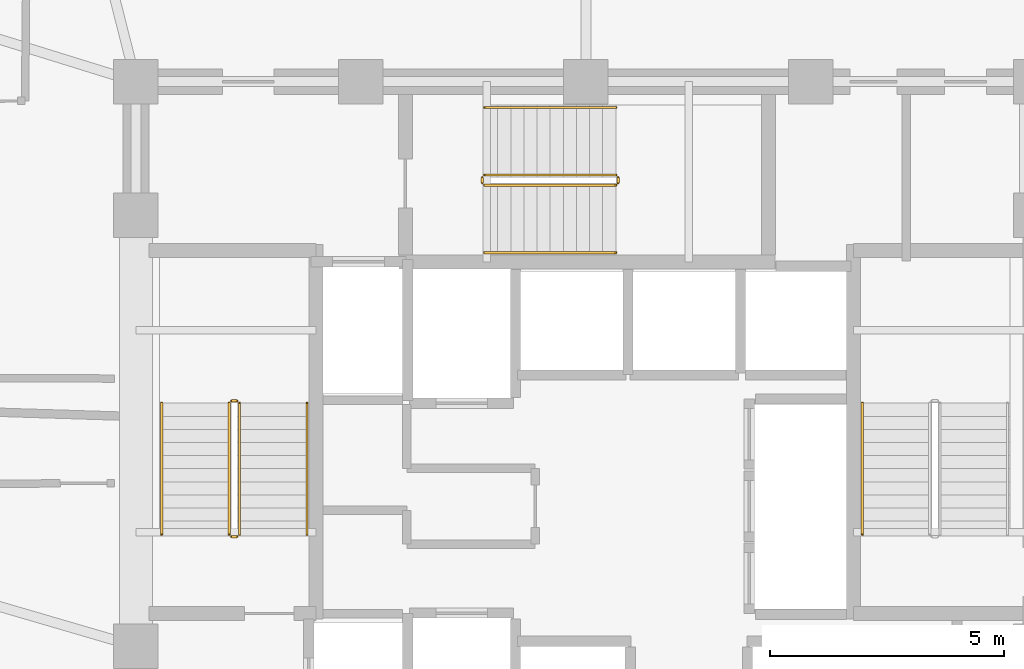
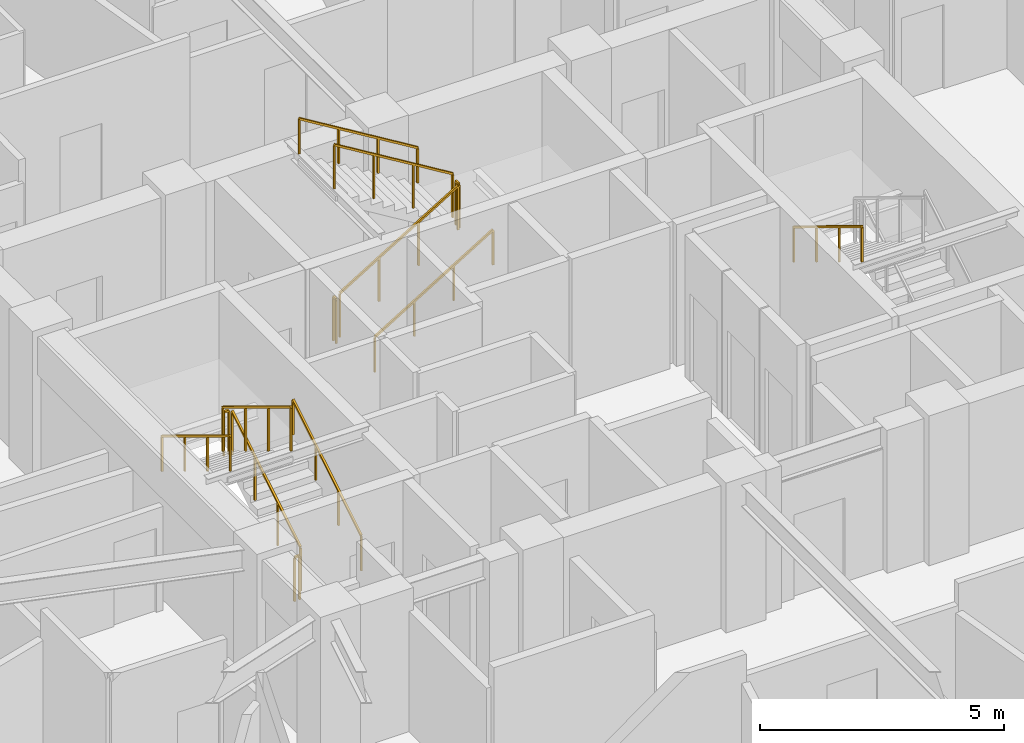
# One storey, part 29 of 31: 13 railings.
"""IFC4 building model written with IfcOpenShell, lengths in metres."""

from ifc_helpers import new_model, si_unit, direction, frame, origin, origin_2d, place, context, subcontext, project, spatial, rectangle, extrude, material, type_object, element, save


model = new_model("IFC4")

# Units and contexts
model_context = context("Model", 3, precision=1e-05, world=origin(), true_north=direction((0.0, 1.0)))
body_context = subcontext(model_context, "Body", "Model", "MODEL_VIEW")
ifc_project = project(units=[si_unit("LENGTHUNIT", "METRE"), si_unit("AREAUNIT", "SQUARE_METRE"), si_unit("VOLUMEUNIT", "CUBIC_METRE"), si_unit("PLANEANGLEUNIT", "RADIAN"), si_unit("MASSUNIT", "GRAM", prefix="KILO")], contexts=[model_context])

# Site, building, storey
site_placement = place(None, origin())
site = spatial("IfcSite", under=ifc_project, at=site_placement, CompositionType="ELEMENT")
building_placement = place(site_placement, origin())
building = spatial("IfcBuilding", under=site, at=building_placement, Name="Vantalir Tower", CompositionType="ELEMENT")
storey_placement = place(building_placement, frame((0.0, 0.0, 115.949951171875)))
storey = spatial("IfcBuildingStorey", under=building, at=storey_placement, Name="L28", CompositionType="ELEMENT", Elevation=115.949951171875)

# Railings
ifc_material_1 = material(Name="Anodised aluminium and stainless steel guard", Category="steel")
railing_type_1 = type_object("IfcRailingType", Name="RAL-GUARD-1120", PredefinedType="GUARDRAIL", material=ifc_material_1)
railing_1_placement = place(storey_placement, frame((24.110107421875, 22.7900390625, 0.17041015625)))
element("IfcRailing", 1, at=railing_1_placement, inside=storey, type_object=railing_type_1, Name="L28 ST1 stair guard 1", PredefinedType="GUARDRAIL", context=body_context, shape_type="SweptSolid", body=[
    extrude(rectangle(XDim=0.048095703125, YDim=0.048095703125, at=origin_2d()), frame((0.0, 0.0, 1.09619140625), z_axis=(0.0, 0.854169791009, 0.51999420009), x_axis=(-1.0, 0.0, 0.0)), (0.0, 0.0, 1.0), 3.278076171875),
    extrude(rectangle(XDim=0.0419921875, YDim=0.0419921875, at=origin_2d()), origin(), (0.0, 0.0, 1.0), 1.072021484375),
    extrude(rectangle(XDim=0.0419921875, YDim=0.0419921875, at=origin_2d()), frame((0.0, 0.933349609375, 0.568115234375)), (0.0, 0.0, 1.0), 1.072021484375),
    extrude(rectangle(XDim=0.0419921875, YDim=0.0419921875, at=origin_2d()), frame((0.0, 1.86669921875, 1.136474609375)), (0.0, 0.0, 1.0), 1.072021484375),
    extrude(rectangle(XDim=0.0419921875, YDim=0.0419921875, at=origin_2d()), frame((0.0, 2.800048828125, 1.70458984375)), (0.0, 0.0, 1.0), 1.072021484375),
])
railing_2_placement = place(storey_placement, frame((24.06005859375, 25.639892578125, 1.875)))
element("IfcRailing", 2, at=railing_2_placement, inside=storey, type_object=railing_type_1, Name="L28 ST1 stair guard 2", PredefinedType="GUARDRAIL", context=body_context, shape_type="SweptSolid", body=[
    extrude(rectangle(XDim=0.048095703125, YDim=0.048095703125, at=origin_2d()), frame((0.0, 0.0, 1.09619140625), z_axis=(-1.0, 0.0, 0.0), x_axis=(0.0, -1.0, 0.0)), (0.0, 0.0, 1.0), 0.1201171875),
    extrude(rectangle(XDim=0.0419921875, YDim=0.0419921875, at=origin_2d()), origin(), (0.0, 0.0, 1.0), 1.072021484375),
    extrude(rectangle(XDim=0.0419921875, YDim=0.0419921875, at=origin_2d()), frame((-0.1201171875, 0.0, 0.0)), (0.0, 0.0, 1.0), 1.072021484375),
])
railing_3_placement = place(storey_placement, frame((23.889892578125, 25.590087890625, 2.04541015625)))
element("IfcRailing", 3, at=railing_3_placement, inside=storey, type_object=railing_type_1, Name="L28 ST1 stair guard 3", PredefinedType="GUARDRAIL", context=body_context, shape_type="SweptSolid", body=[
    extrude(rectangle(XDim=0.048095703125, YDim=0.048095703125, at=origin_2d()), frame((0.0, 0.0, 1.09619140625), z_axis=(0.0, -0.854169791009, 0.51999420009), x_axis=(1.0, 0.0, 0.0)), (0.0, 0.0, 1.0), 3.278076171875),
    extrude(rectangle(XDim=0.0419921875, YDim=0.0419921875, at=origin_2d()), origin(), (0.0, 0.0, 1.0), 1.072021484375),
    extrude(rectangle(XDim=0.0419921875, YDim=0.0419921875, at=origin_2d()), frame((0.0, -0.933349609375, 0.568115234375)), (0.0, 0.0, 1.0), 1.072021484375),
    extrude(rectangle(XDim=0.0419921875, YDim=0.0419921875, at=origin_2d()), frame((0.0, -1.86669921875, 1.136474609375)), (0.0, 0.0, 1.0), 1.072021484375),
    extrude(rectangle(XDim=0.0419921875, YDim=0.0419921875, at=origin_2d()), frame((0.0, -2.800048828125, 1.70458984375)), (0.0, 0.0, 1.0), 1.072021484375),
])
railing_4_placement = place(storey_placement, frame((24.06005859375, 22.739990234375, 0.0)))
element("IfcRailing", 4, at=railing_4_placement, inside=storey, type_object=railing_type_1, Name="L28 ST1 stair guard 4", PredefinedType="GUARDRAIL", context=body_context, shape_type="SweptSolid", body=[
    extrude(rectangle(XDim=0.048095703125, YDim=0.048095703125, at=origin_2d()), frame((0.0, 0.0, 1.09619140625), z_axis=(-1.0, 0.0, 0.0), x_axis=(0.0, -1.0, 0.0)), (0.0, 0.0, 1.0), 0.1201171875),
    extrude(rectangle(XDim=0.0419921875, YDim=0.0419921875, at=origin_2d()), origin(), (0.0, 0.0, 1.0), 1.072021484375),
    extrude(rectangle(XDim=0.0419921875, YDim=0.0419921875, at=origin_2d()), frame((-0.1201171875, 0.0, 0.0)), (0.0, 0.0, 1.0), 1.072021484375),
])
railing_5_placement = place(storey_placement, frame((29.340087890625, 30.239990234375, 0.17041015625)))
element("IfcRailing", 5, at=railing_5_placement, inside=storey, type_object=railing_type_1, Name="L28 ST3 stair guard 1", PredefinedType="GUARDRAIL", context=body_context, shape_type="SweptSolid", body=[
    extrude(rectangle(XDim=0.048095703125, YDim=0.048095703125, at=origin_2d()), frame((0.0, 0.0, 1.09619140625), z_axis=(0.854149651119, 0.0, 0.520027281489), x_axis=(0.0, 1.0, 0.0)), (0.0, 0.0, 1.0), 3.27783203125),
    extrude(rectangle(XDim=0.0419921875, YDim=0.0419921875, at=origin_2d()), origin(), (0.0, 0.0, 1.0), 1.072021484375),
    extrude(rectangle(XDim=0.0419921875, YDim=0.0419921875, at=origin_2d()), frame((0.933349609375, 0.0, 0.568115234375)), (0.0, 0.0, 1.0), 1.072021484375),
    extrude(rectangle(XDim=0.0419921875, YDim=0.0419921875, at=origin_2d()), frame((1.866455078125, 0.0, 1.136474609375)), (0.0, 0.0, 1.0), 1.072021484375),
    extrude(rectangle(XDim=0.0419921875, YDim=0.0419921875, at=origin_2d()), frame((2.7998046875, 0.0, 1.70458984375)), (0.0, 0.0, 1.0), 1.072021484375),
])
railing_6_placement = place(storey_placement, frame((32.18994140625, 30.2900390625, 1.875)))
element("IfcRailing", 6, at=railing_6_placement, inside=storey, type_object=railing_type_1, Name="L28 ST3 stair guard 2", PredefinedType="GUARDRAIL", context=body_context, shape_type="SweptSolid", body=[
    extrude(rectangle(XDim=0.048095703125, YDim=0.048095703125, at=origin_2d()), frame((0.0, 0.0, 1.09619140625), z_axis=(0.0, 1.0, 0.0), x_axis=(-1.0, 0.0, 0.0)), (0.0, 0.0, 1.0), 0.119873046875),
    extrude(rectangle(XDim=0.0419921875, YDim=0.0419921875, at=origin_2d()), origin(), (0.0, 0.0, 1.0), 1.072021484375),
    extrude(rectangle(XDim=0.0419921875, YDim=0.0419921875, at=origin_2d()), frame((0.0, 0.119873046875, 0.0)), (0.0, 0.0, 1.0), 1.072021484375),
])
railing_7_placement = place(storey_placement, frame((32.139892578125, 30.4599609375, 2.04541015625)))
element("IfcRailing", 7, at=railing_7_placement, inside=storey, type_object=railing_type_1, Name="L28 ST3 stair guard 3", PredefinedType="GUARDRAIL", context=body_context, shape_type="SweptSolid", body=[
    extrude(rectangle(XDim=0.048095703125, YDim=0.048095703125, at=origin_2d()), frame((0.0, 0.0, 1.09619140625), z_axis=(-0.854149651119, 0.0, 0.520027281489), x_axis=(0.0, -1.0, 0.0)), (0.0, 0.0, 1.0), 3.27783203125),
    extrude(rectangle(XDim=0.0419921875, YDim=0.0419921875, at=origin_2d()), origin(), (0.0, 0.0, 1.0), 1.072021484375),
    extrude(rectangle(XDim=0.0419921875, YDim=0.0419921875, at=origin_2d()), frame((-0.933349609375, 0.0, 0.568115234375)), (0.0, 0.0, 1.0), 1.072021484375),
    extrude(rectangle(XDim=0.0419921875, YDim=0.0419921875, at=origin_2d()), frame((-1.866455078125, 0.0, 1.136474609375)), (0.0, 0.0, 1.0), 1.072021484375),
    extrude(rectangle(XDim=0.0419921875, YDim=0.0419921875, at=origin_2d()), frame((-2.7998046875, 0.0, 1.70458984375)), (0.0, 0.0, 1.0), 1.072021484375),
])
railing_8_placement = place(storey_placement, frame((29.2900390625, 30.2900390625, 0.0)))
element("IfcRailing", 8, at=railing_8_placement, inside=storey, type_object=railing_type_1, Name="L28 ST3 stair guard 4", PredefinedType="GUARDRAIL", context=body_context, shape_type="SweptSolid", body=[
    extrude(rectangle(XDim=0.048095703125, YDim=0.048095703125, at=origin_2d()), frame((0.0, 0.0, 1.09619140625), z_axis=(0.0, 1.0, 0.0), x_axis=(-1.0, 0.0, 0.0)), (0.0, 0.0, 1.0), 0.119873046875),
    extrude(rectangle(XDim=0.0419921875, YDim=0.0419921875, at=origin_2d()), origin(), (0.0, 0.0, 1.0), 1.072021484375),
    extrude(rectangle(XDim=0.0419921875, YDim=0.0419921875, at=origin_2d()), frame((0.0, 0.119873046875, 0.0)), (0.0, 0.0, 1.0), 1.072021484375),
])
ifc_material_2 = material(Name="Brushed stainless steel tubular handrail", Category="steel")
railing_type_2 = type_object("IfcRailingType", Name="RAL-HANDRAIL-900", PredefinedType="HANDRAIL", material=ifc_material_2)
railing_9_placement = place(storey_placement, frame((25.550048828125, 22.7900390625, 0.17041015625)))
element("IfcRailing", 9, at=railing_9_placement, inside=storey, type_object=railing_type_2, Name="L28 ST1 stair handrail 1", PredefinedType="HANDRAIL", context=body_context, shape_type="SweptSolid", body=[
    extrude(rectangle(XDim=0.048095703125, YDim=0.048095703125, at=origin_2d()), frame((0.0, 0.0, 0.8759765625), z_axis=(0.0, 0.854169791009, 0.51999420009), x_axis=(-1.0, 0.0, 0.0)), (0.0, 0.0, 1.0), 3.278076171875),
    extrude(rectangle(XDim=0.0419921875, YDim=0.0419921875, at=origin_2d()), origin(), (0.0, 0.0, 1.0), 0.851806640625),
    extrude(rectangle(XDim=0.0419921875, YDim=0.0419921875, at=origin_2d()), frame((0.0, 0.933349609375, 0.568115234375)), (0.0, 0.0, 1.0), 0.851806640625),
    extrude(rectangle(XDim=0.0419921875, YDim=0.0419921875, at=origin_2d()), frame((0.0, 1.86669921875, 1.136474609375)), (0.0, 0.0, 1.0), 0.851806640625),
    extrude(rectangle(XDim=0.0419921875, YDim=0.0419921875, at=origin_2d()), frame((0.0, 2.800048828125, 1.70458984375)), (0.0, 0.0, 1.0), 0.851806640625),
])
for number, where, name in (
    (10, (22.449951171875, 25.590087890625, 2.04541015625), "L28 ST1 stair handrail 2"),
    (11, (37.39990234375, 25.590087890625, 2.04541015625), "L28 ST2 stair handrail 2"),
):
    element("IfcRailing", number, at=place(storey_placement, frame(where)), inside=storey, type_object=railing_type_2, Name=name, PredefinedType="HANDRAIL", context=body_context, shape_type="SweptSolid", body=[
        extrude(rectangle(XDim=0.048095703125, YDim=0.048095703125, at=origin_2d()), frame((0.0, 0.0, 0.8759765625), z_axis=(0.0, -0.854169791009, 0.51999420009), x_axis=(1.0, 0.0, 0.0)), (0.0, 0.0, 1.0), 3.278076171875),
        extrude(rectangle(XDim=0.0419921875, YDim=0.0419921875, at=origin_2d()), origin(), (0.0, 0.0, 1.0), 0.851806640625),
        extrude(rectangle(XDim=0.0419921875, YDim=0.0419921875, at=origin_2d()), frame((0.0, -0.933349609375, 0.568115234375)), (0.0, 0.0, 1.0), 0.851806640625),
        extrude(rectangle(XDim=0.0419921875, YDim=0.0419921875, at=origin_2d()), frame((0.0, -1.86669921875, 1.136474609375)), (0.0, 0.0, 1.0), 0.851806640625),
        extrude(rectangle(XDim=0.0419921875, YDim=0.0419921875, at=origin_2d()), frame((0.0, -2.800048828125, 1.70458984375)), (0.0, 0.0, 1.0), 0.851806640625),
    ])
railing_10_placement = place(storey_placement, frame((29.340087890625, 28.800048828125, 0.17041015625)))
element("IfcRailing", 12, at=railing_10_placement, inside=storey, type_object=railing_type_2, Name="L28 ST3 stair handrail 1", PredefinedType="HANDRAIL", context=body_context, shape_type="SweptSolid", body=[
    extrude(rectangle(XDim=0.048095703125, YDim=0.048095703125, at=origin_2d()), frame((0.0, 0.0, 0.8759765625), z_axis=(0.854149651119, 0.0, 0.520027281489), x_axis=(0.0, 1.0, 0.0)), (0.0, 0.0, 1.0), 3.27783203125),
    extrude(rectangle(XDim=0.0419921875, YDim=0.0419921875, at=origin_2d()), origin(), (0.0, 0.0, 1.0), 0.851806640625),
    extrude(rectangle(XDim=0.0419921875, YDim=0.0419921875, at=origin_2d()), frame((0.933349609375, 0.0, 0.568115234375)), (0.0, 0.0, 1.0), 0.851806640625),
    extrude(rectangle(XDim=0.0419921875, YDim=0.0419921875, at=origin_2d()), frame((1.866455078125, 0.0, 1.136474609375)), (0.0, 0.0, 1.0), 0.851806640625),
    extrude(rectangle(XDim=0.0419921875, YDim=0.0419921875, at=origin_2d()), frame((2.7998046875, 0.0, 1.70458984375)), (0.0, 0.0, 1.0), 0.851806640625),
])
railing_11_placement = place(storey_placement, frame((32.139892578125, 31.89990234375, 2.04541015625)))
element("IfcRailing", 13, at=railing_11_placement, inside=storey, type_object=railing_type_2, Name="L28 ST3 stair handrail 2", PredefinedType="HANDRAIL", context=body_context, shape_type="SweptSolid", body=[
    extrude(rectangle(XDim=0.048095703125, YDim=0.048095703125, at=origin_2d()), frame((0.0, 0.0, 0.8759765625), z_axis=(-0.854149651119, 0.0, 0.520027281489), x_axis=(0.0, -1.0, 0.0)), (0.0, 0.0, 1.0), 3.27783203125),
    extrude(rectangle(XDim=0.0419921875, YDim=0.0419921875, at=origin_2d()), origin(), (0.0, 0.0, 1.0), 0.851806640625),
    extrude(rectangle(XDim=0.0419921875, YDim=0.0419921875, at=origin_2d()), frame((-0.933349609375, 0.0, 0.568115234375)), (0.0, 0.0, 1.0), 0.851806640625),
    extrude(rectangle(XDim=0.0419921875, YDim=0.0419921875, at=origin_2d()), frame((-1.866455078125, 0.0, 1.136474609375)), (0.0, 0.0, 1.0), 0.851806640625),
    extrude(rectangle(XDim=0.0419921875, YDim=0.0419921875, at=origin_2d()), frame((-2.7998046875, 0.0, 1.70458984375)), (0.0, 0.0, 1.0), 0.851806640625),
])

save(model, "model.ifc")
